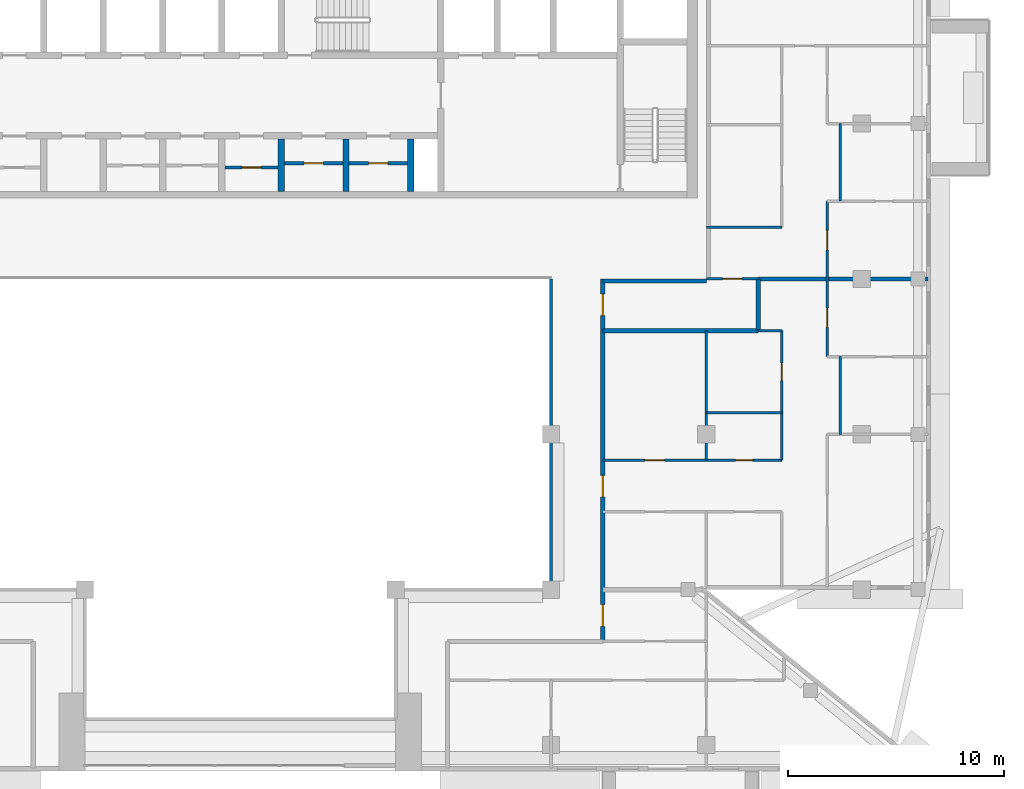
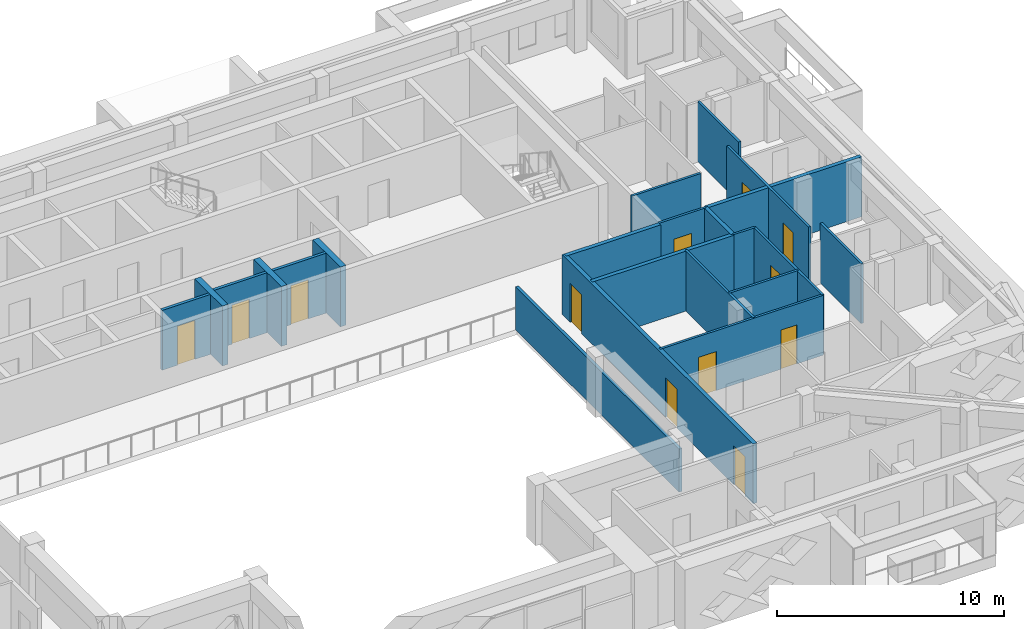
# One storey, part 9 of 19: 22 walls, 12 doors, 12 openings.
"""IFC4 building model written with IfcOpenShell, lengths in metres."""

import ifcopenshell
import ifcopenshell.guid

model = None  # the IFC model being written
_history = None  # IfcOwnerHistory: only IFC2X3 demands one
_inside = {}  # id of a spatial element -> (the spatial element, [elements in it])
_under = {}  # id of a project, library or spatial element -> (it, [spatial elements below it])
_declared = {}  # id of a project -> (the project, [libraries it declares])
_typed = {}  # id of a type object -> (the type object, [elements of that type])
_made_of = {}  # id of a material, layer set ... -> (it, [elements and type objects made of it])


def new_model(schema):
    """Start an empty IFC model of exactly this schema.

    Asked for "IFC4X3", IfcOpenShell would pick the latest addendum, in which some entities
    have other attributes; the version numbers below select the first issue.
    IFC2X3 requires an IfcOwnerHistory on every rooted entity: one is made here for all.
    """
    global model, _history
    if schema == "IFC4X3":
        model = ifcopenshell.file(schema_version=(4, 3, 0, 0))
    else:
        model = ifcopenshell.file(schema=schema)
    _inside.clear()
    _under.clear()
    _declared.clear()
    _typed.clear()
    _made_of.clear()
    _history = None
    if model.schema == "IFC2X3":
        org = make("IfcOrganization", Name="unknown")
        user = make(
            "IfcPersonAndOrganization",
            ThePerson=make("IfcPerson", FamilyName="unknown"),
            TheOrganization=org,
        )
        app = make(
            "IfcApplication",
            ApplicationDeveloper=org,
            Version="unknown",
            ApplicationFullName="unknown",
            ApplicationIdentifier="unknown",
        )
        _history = make(
            "IfcOwnerHistory",
            OwningUser=user,
            OwningApplication=app,
            ChangeAction="ADDED",
            CreationDate=0,
        )
    return model


def make(cls, **values):
    """One entity of the class cls with the attributes given. An attribute that is None is left unset."""
    return model.create_entity(
        cls, **{name: value for name, value in values.items() if value is not None}
    )


def rooted(cls, **values):
    """An entity with a GlobalId (a new one), such as an element, a storey or a relation."""
    return make(cls, GlobalId=ifcopenshell.guid.new(), OwnerHistory=_history, **values)


def si_unit(unit_type, name, prefix=None):
    """IfcSIUnit, for example si_unit("LENGTHUNIT", "METRE", prefix="MILLI")."""
    return make("IfcSIUnit", UnitType=unit_type, Prefix=prefix, Name=name)


def assignment(units):
    """IfcUnitAssignment: the units of a project."""
    return None if units is None else make("IfcUnitAssignment", Units=units)


def point(xyz):
    """IfcCartesianPoint."""
    return None if xyz is None else make("IfcCartesianPoint", Coordinates=xyz)


def direction(xyz):
    """IfcDirection."""
    return None if xyz is None else make("IfcDirection", DirectionRatios=xyz)


def frame(location, z_axis=None, x_axis=None):
    """IfcAxis2Placement3D, a coordinate frame: its origin and axes. An axis left out is left unset."""
    return make(
        "IfcAxis2Placement3D",
        Location=point(location),
        Axis=direction(z_axis),
        RefDirection=direction(x_axis),
    )


def frame_2d(location, x_axis=None):
    """IfcAxis2Placement2D, a coordinate frame in the plane: its origin and x axis."""
    return make(
        "IfcAxis2Placement2D", Location=point(location), RefDirection=direction(x_axis)
    )


def origin():
    """The frame at (0, 0, 0) with its axes left unset."""
    return frame((0.0, 0.0, 0.0))


def place(relative_to, where):
    """IfcLocalPlacement: puts the frame where relative to a parent placement (None: the world)."""
    return make(
        "IfcLocalPlacement", PlacementRelTo=relative_to, RelativePlacement=where
    )


def context(
    kind, dimensions, precision=None, world=None, true_north=None, identifier=None
):
    """IfcGeometricRepresentationContext, for example the 3D "Model" context."""
    return make(
        "IfcGeometricRepresentationContext",
        ContextIdentifier=identifier,
        ContextType=kind,
        CoordinateSpaceDimension=dimensions,
        Precision=precision,
        WorldCoordinateSystem=world,
        TrueNorth=true_north,
    )


def subcontext(parent, identifier, kind, view, scale=None):
    """IfcGeometricRepresentationSubContext, for example "Body" below "Model"."""
    return make(
        "IfcGeometricRepresentationSubContext",
        ContextIdentifier=identifier,
        ContextType=kind,
        ParentContext=parent,
        TargetScale=scale,
        TargetView=view,
    )


def project(units=None, contexts=None):
    """IfcProject with its units and contexts."""
    return rooted(
        "IfcProject",
        Name="project",
        RepresentationContexts=contexts,
        UnitsInContext=assignment(units),
    )


def spatial(cls, under=None, at=None, **own):
    """A site, building, storey or space (cls), placed at a placement, below another one or the project."""
    s = rooted(cls, ObjectPlacement=at, **own)
    if under is not None:
        _under.setdefault(under.id(), (under, []))[1].append(s)
    return s


def profile(cls, at=None, kind="AREA", **sizes):
    """A parametric profile (cls). Its sizes go by their IFC names, for example OverallWidth=200.0."""
    return make(cls, ProfileType=kind, Position=at, **sizes)


def rectangle(**sizes):
    """IfcRectangleProfileDef."""
    return profile("IfcRectangleProfileDef", **sizes)


def extrude(swept, where, along, depth):
    """IfcExtrudedAreaSolid: the profile swept, set in the frame where, extruded along a direction by depth."""
    return make(
        "IfcExtrudedAreaSolid",
        SweptArea=swept,
        Position=where,
        ExtrudedDirection=direction(along),
        Depth=depth,
    )


def shape(context_of_items, identifier, shape_type, items):
    """IfcShapeRepresentation: the items that make up one representation, for example the "Body"."""
    return make(
        "IfcShapeRepresentation",
        ContextOfItems=context_of_items,
        RepresentationIdentifier=identifier,
        RepresentationType=shape_type,
        Items=items,
    )


def material(Name=None, Category=None):
    """IfcMaterial."""
    return make("IfcMaterial", Name=Name, Category=Category)


def layer(
    of_material, thickness, ventilated=None, Name=None, Category=None, Priority=None
):
    """IfcMaterialLayer: one layer of a wall or slab, of a material (None: an air gap)."""
    return make(
        "IfcMaterialLayer",
        Material=of_material,
        LayerThickness=thickness,
        IsVentilated=ventilated,
        Name=Name,
        Category=Category,
        Priority=Priority,
    )


def layer_set(layers, Name=None):
    """IfcMaterialLayerSet."""
    return make("IfcMaterialLayerSet", MaterialLayers=layers, LayerSetName=Name)


def made_of(thing, what):
    """Note that an element or type object is made of a material, layer set ...; save() writes the relation."""
    if what is not None:
        _made_of.setdefault(what.id(), (what, []))[1].append(thing)
    return thing


def type_object(cls, material=None, **own):
    """A type object (cls), such as IfcWallType, which elements share."""
    return made_of(rooted(cls, **own), material)


def element(
    cls,
    number,
    at=None,
    inside=None,
    cuts=None,
    type_object=None,
    material=None,
    context=None,
    identifier="Body",
    shape_type=None,
    held_by="IfcProductDefinitionShape",
    body=None,
    shapes=None,
    **own,
):
    """One element of the class cls, such as IfcWall. Its Tag is "e" and its number.

    at: its placement. inside: the storey or other place that contains it. cuts: it is an
    opening in that element (IfcRelVoidsElement). A single representation is given by context,
    identifier, shape_type and body (its items); several are given by shapes. held_by: the class
    of the entity that holds the representations. save() writes the other relations.
    """
    e = rooted(cls, Tag="e%d" % number, ObjectPlacement=at, **own)
    if body is not None:
        shapes = [shape(context, identifier, shape_type, body)]
    if shapes is not None:
        e.Representation = make(held_by, Representations=shapes)
    if inside is not None:
        _inside.setdefault(inside.id(), (inside, []))[1].append(e)
    if cuts is not None:
        rooted(
            "IfcRelVoidsElement", RelatingBuildingElement=cuts, RelatedOpeningElement=e
        )
    if type_object is not None:
        _typed.setdefault(type_object.id(), (type_object, []))[1].append(e)
    return made_of(e, material)


def fill(opening, filler):
    """IfcRelFillsElement: the door or window that sits in an opening."""
    return rooted(
        "IfcRelFillsElement",
        RelatingOpeningElement=opening,
        RelatedBuildingElement=filler,
    )


def aggregate(whole, parts):
    """IfcRelAggregates: a whole, such as a stair, and the parts it consists of."""
    return rooted("IfcRelAggregates", RelatingObject=whole, RelatedObjects=parts)


def save(model, path):
    """Write the relations noted so far, then the file.

    IfcRelAggregates (storeys below a building ...), IfcRelContainedInSpatialStructure (elements
    in a storey), IfcRelDefinesByType, IfcRelAssociatesMaterial and IfcRelDeclares: one each for
    every whole, place, type object, material and project.
    """
    for whole, parts in _under.values():
        aggregate(whole, parts)
    for where, things in _inside.values():
        rooted(
            "IfcRelContainedInSpatialStructure",
            RelatedElements=things,
            RelatingStructure=where,
        )
    for kind, things in _typed.values():
        rooted("IfcRelDefinesByType", RelatedObjects=things, RelatingType=kind)
    for what, things in _made_of.values():
        rooted("IfcRelAssociatesMaterial", RelatedObjects=things, RelatingMaterial=what)
    for by, libraries in _declared.values():
        rooted("IfcRelDeclares", RelatingContext=by, RelatedDefinitions=libraries)
    model.write(path)


model = new_model("IFC4")

# Units and contexts
model_context = context("Model", 3, precision=1e-05, world=origin(), true_north=direction((0.0, 1.0)))
body_context = subcontext(model_context, "Body", "Model", "MODEL_VIEW")
ifc_project = project(units=[si_unit("LENGTHUNIT", "METRE"), si_unit("AREAUNIT", "SQUARE_METRE"), si_unit("VOLUMEUNIT", "CUBIC_METRE"), si_unit("PLANEANGLEUNIT", "RADIAN"), si_unit("MASSUNIT", "GRAM", prefix="KILO")], contexts=[model_context])

# Site, building, storey
site_placement = place(None, origin())
site = spatial("IfcSite", under=ifc_project, at=site_placement, CompositionType="ELEMENT")
building_placement = place(site_placement, origin())
building = spatial("IfcBuilding", under=site, at=building_placement, Name="Saffron Iwan Residences", CompositionType="ELEMENT")
storey_placement = place(building_placement, frame((0.0, 0.0, 236.0)))
storey = spatial("IfcBuildingStorey", under=building, at=storey_placement, Name="L63", CompositionType="ELEMENT", Elevation=236.0)

# Wall
ifc_material_1 = material(Name="Fire-rated glazing", Category="glass")
ifc_layer_1 = layer(ifc_material_1, 0.14990234375)
ifc_layer_set_1 = layer_set([ifc_layer_1], Name="Fire-rated glazing")
wall_type_1 = type_object("IfcWallType", Name="Atrium glazed screen 150", PredefinedType="SOLIDWALL", material=ifc_layer_set_1)
wall_1_placement = place(storey_placement, frame((64.800048828125, 48.0, 0.0), z_axis=(0.0, 0.0, 1.0), x_axis=(0.0, 1.0, 0.0)))
element("IfcWall", 1, at=wall_1_placement, inside=storey, type_object=wall_type_1, Name="W-L63-SCREEN-v64.8-48", PredefinedType="SOLIDWALL", context=body_context, shape_type="SweptSolid", body=[
    extrude(rectangle(XDim=14.39990234375, YDim=0.14990234375, at=frame_2d((7.199951171875, 0.0))), origin(), (0.0, 0.0, 1.0), 2.320068359375),
])

# Wall, opening, door
ifc_material_2 = material(Name="Fire-rated plasterboard partition")
ifc_layer_2 = layer(ifc_material_2, 0.14990234375)
ifc_layer_set_2 = layer_set([ifc_layer_2], Name="Fire-rated plasterboard partition")
wall_type_2 = type_object("IfcWallType", Name="Core partition 150", PredefinedType="PARTITIONING", material=ifc_layer_set_2)
wall_2_placement = place(storey_placement, frame((49.699951171875, 67.5654296875, 0.0), z_axis=(0.0, 0.0, 1.0), x_axis=(1.0, 0.0, 0.0)))
wall_2 = element("IfcWall", 2, at=wall_2_placement, inside=storey, type_object=wall_type_2, Name="Core partition P05", PredefinedType="PARTITIONING", context=body_context, shape_type="SweptSolid", body=[
    extrude(rectangle(XDim=2.449951171875, YDim=0.14990234375, at=frame_2d((1.22509765625, 0.0))), origin(), (0.0, 0.0, 1.0), 3.219970703125),
])
opening_1_placement = place(wall_2_placement, frame((0.77490234375, 0.0, 0.0)))
opening_1 = element("IfcOpeningElement", 3, at=opening_1_placement, cuts=wall_2, Name="Opening SB", PredefinedType="OPENING", context=body_context, shape_type="SweptSolid", body=[
    extrude(rectangle(XDim=0.89990234375, YDim=2.10009765625, at=frame_2d((0.449951171875, 1.050048828125))), frame((0.0, 0.0849609375, 0.0), z_axis=(0.0, -1.0, 0.0), x_axis=(1.0, 0.0, 0.0)), (0.0, 0.0, 1.0), 0.169921875),
])
ifc_material_3 = material(Name="Steel fire door", Category="steel")
door_type_1 = type_object("IfcDoorType", Name="Store door 900", OperationType="NOTDEFINED", PredefinedType="DOOR", material=ifc_material_3)
door_1_placement = place(opening_1_placement, origin())
door_1 = element("IfcDoor", 4, at=door_1_placement, inside=storey, type_object=door_type_1, Name="Door Spares store", OperationType="SINGLE_SWING_LEFT", OverallHeight=2.10009765625, OverallWidth=0.89990234375, PredefinedType="DOOR", context=body_context, shape_type="SweptSolid", body=[
    extrude(rectangle(XDim=0.89990234375, YDim=2.10009765625, at=frame_2d((0.449951171875, 1.050048828125))), frame((0.0, 0.02490234375, 0.0), z_axis=(0.0, -1.0, 0.0), x_axis=(1.0, 0.0, 0.0)), (0.0, 0.0, 1.0), 0.050048828125),
])
fill(opening_1, door_1)

wall_3_placement = place(storey_placement, frame((52.449951171875, 67.759521484375, 0.0), z_axis=(0.0, 0.0, 1.0), x_axis=(1.0, 0.0, 0.0)))
wall_3 = element("IfcWall", 5, at=wall_3_placement, inside=storey, type_object=wall_type_2, Name="Core partition P06", PredefinedType="PARTITIONING", context=body_context, shape_type="SweptSolid", body=[
    extrude(rectangle(XDim=2.699951171875, YDim=0.14990234375, at=frame_2d((1.35009765625, 0.0))), origin(), (0.0, 0.0, 1.0), 3.219970703125),
])
opening_2_placement = place(wall_3_placement, frame((0.89990234375, 0.0, 0.0)))
opening_2 = element("IfcOpeningElement", 6, at=opening_2_placement, cuts=wall_3, Name="Opening SB", PredefinedType="OPENING", context=body_context, shape_type="SweptSolid", body=[
    extrude(rectangle(XDim=0.89990234375, YDim=2.10009765625, at=frame_2d((0.449951171875, 1.050048828125))), frame((0.0, 0.0849609375, 0.0), z_axis=(0.0, -1.0, 0.0), x_axis=(1.0, 0.0, 0.0)), (0.0, 0.0, 1.0), 0.169921875),
])
door_2_placement = place(opening_2_placement, origin())
door_2 = element("IfcDoor", 7, at=door_2_placement, inside=storey, type_object=door_type_1, Name="Door Tool store", OperationType="SINGLE_SWING_LEFT", OverallHeight=2.10009765625, OverallWidth=0.89990234375, PredefinedType="DOOR", context=body_context, shape_type="SweptSolid", body=[
    extrude(rectangle(XDim=0.89990234375, YDim=2.10009765625, at=frame_2d((0.449951171875, 1.050048828125))), frame((0.0, 0.02490234375, 0.0), z_axis=(0.0, -1.0, 0.0), x_axis=(1.0, 0.0, 0.0)), (0.0, 0.0, 1.0), 0.050048828125),
])
fill(opening_2, door_2)

wall_4_placement = place(storey_placement, frame((55.449951171875, 67.759521484375, 0.0), z_axis=(0.0, 0.0, 1.0), x_axis=(1.0, 0.0, 0.0)))
wall_4 = element("IfcWall", 8, at=wall_4_placement, inside=storey, type_object=wall_type_2, Name="Core partition P07", PredefinedType="PARTITIONING", context=body_context, shape_type="SweptSolid", body=[
    extrude(rectangle(XDim=2.699951171875, YDim=0.14990234375, at=frame_2d((1.35009765625, 0.0))), origin(), (0.0, 0.0, 1.0), 3.219970703125),
])
opening_3_placement = place(wall_4_placement, frame((0.89990234375, 0.0, 0.0)))
opening_3 = element("IfcOpeningElement", 9, at=opening_3_placement, cuts=wall_4, Name="Opening SB", PredefinedType="OPENING", context=body_context, shape_type="SweptSolid", body=[
    extrude(rectangle(XDim=0.89990234375, YDim=2.10009765625, at=frame_2d((0.449951171875, 1.050048828125))), frame((0.0, 0.0849609375, 0.0), z_axis=(0.0, -1.0, 0.0), x_axis=(1.0, 0.0, 0.0)), (0.0, 0.0, 1.0), 0.169921875),
])
door_3_placement = place(opening_3_placement, origin())
door_3 = element("IfcDoor", 10, at=door_3_placement, inside=storey, type_object=door_type_1, Name="Door Cabling room", OperationType="SINGLE_SWING_LEFT", OverallHeight=2.10009765625, OverallWidth=0.89990234375, PredefinedType="DOOR", context=body_context, shape_type="SweptSolid", body=[
    extrude(rectangle(XDim=0.89990234375, YDim=2.10009765625, at=frame_2d((0.449951171875, 1.050048828125))), frame((0.0, 0.02490234375, 0.0), z_axis=(0.0, -1.0, 0.0), x_axis=(1.0, 0.0, 0.0)), (0.0, 0.0, 1.0), 0.050048828125),
])
fill(opening_3, door_3)

# Walls
ifc_material_4 = material(Name="Fire-rated gypsum board wall")
ifc_layer_3 = layer(ifc_material_4, 0.199951171875)
ifc_layer_set_3 = layer_set([ifc_layer_3], Name="Fire-rated gypsum board wall")
wall_type_3 = type_object("IfcWallType", Name="Flat demising wall 200", PredefinedType="SOLIDWALL", material=ifc_layer_set_3)
wall_5_placement = place(storey_placement, frame((67.199951171875, 60.0, 0.0), z_axis=(0.0, 0.0, 1.0), x_axis=(1.0, 0.0, 0.0)))
element("IfcWall", 11, at=wall_5_placement, inside=storey, type_object=wall_type_3, Name="W-L63-DEMISE-h60-67.2", PredefinedType="SOLIDWALL", context=body_context, shape_type="SweptSolid", body=[
    extrude(rectangle(XDim=7.199951171875, YDim=0.199951171875, at=frame_2d((3.60009765625, 0.0))), origin(), (0.0, 0.0, 1.0), 3.219970703125),
])
wall_6_placement = place(storey_placement, frame((74.39990234375, 62.39990234375, 0.0), z_axis=(0.0, 0.0, 1.0), x_axis=(1.0, 0.0, 0.0)))
element("IfcWall", 12, at=wall_6_placement, inside=storey, type_object=wall_type_3, Name="W-L63-DEMISE-h62.4-74.4", PredefinedType="SOLIDWALL", context=body_context, shape_type="SweptSolid", body=[
    extrude(rectangle(XDim=7.875, YDim=0.199951171875, at=frame_2d((3.9375, 0.0))), origin(), (0.0, 0.0, 1.0), 3.219970703125),
])
wall_7_placement = place(storey_placement, frame((74.39990234375, 60.0, 0.0), z_axis=(0.0, 0.0, 1.0), x_axis=(0.0, 1.0, 0.0)))
element("IfcWall", 13, at=wall_7_placement, inside=storey, type_object=wall_type_3, Name="W-L63-DEMISE-v74.4-60", PredefinedType="SOLIDWALL", context=body_context, shape_type="SweptSolid", body=[
    extrude(rectangle(XDim=2.39990234375, YDim=0.199951171875, at=frame_2d((1.199951171875, 0.0))), origin(), (0.0, 0.0, 1.0), 3.219970703125),
])

# Wall, openings, doors
ifc_material_5 = material(Name="Gypsum board partition")
ifc_layer_4 = layer(ifc_material_5, 0.1201171875)
ifc_layer_set_4 = layer_set([ifc_layer_4], Name="Gypsum board partition")
wall_type_4 = type_object("IfcWallType", Name="Flat partition 120", PredefinedType="PARTITIONING", material=ifc_layer_set_4)
wall_8_placement = place(storey_placement, frame((67.199951171875, 54.0, 0.0), z_axis=(0.0, 0.0, 1.0), x_axis=(1.0, 0.0, 0.0)))
wall_8 = element("IfcWall", 14, at=wall_8_placement, inside=storey, type_object=wall_type_4, Name="W-L63-PART-h54-67.2", PredefinedType="PARTITIONING", context=body_context, shape_type="SweptSolid", body=[
    extrude(rectangle(XDim=8.300048828125, YDim=0.1201171875, at=frame_2d((4.14990234375, 0.0))), origin(), (0.0, 0.0, 1.0), 3.219970703125),
])
opening_4_placement = place(wall_8_placement, frame((6.14990234375, 0.0, 0.0)))
opening_4 = element("IfcOpeningElement", 15, at=opening_4_placement, cuts=wall_8, Name="Opening FD3", PredefinedType="OPENING", context=body_context, shape_type="SweptSolid", body=[
    extrude(rectangle(XDim=0.800048828125, YDim=2.10009765625, at=frame_2d((0.39990234375, 1.050048828125))), frame((0.0, 0.070068359375, 0.0), z_axis=(0.0, -1.0, 0.0), x_axis=(1.0, 0.0, 0.0)), (0.0, 0.0, 1.0), 0.14013671875),
])
opening_5_placement = place(wall_8_placement, frame((1.949951171875, 0.0, 0.0)))
opening_5 = element("IfcOpeningElement", 16, at=opening_5_placement, cuts=wall_8, Name="Opening FD2", PredefinedType="OPENING", context=body_context, shape_type="SweptSolid", body=[
    extrude(rectangle(XDim=0.89990234375, YDim=2.10009765625, at=frame_2d((0.449951171875, 1.050048828125))), frame((0.0, 0.070068359375, 0.0), z_axis=(0.0, -1.0, 0.0), x_axis=(1.0, 0.0, 0.0)), (0.0, 0.0, 1.0), 0.14013671875),
])
ifc_material_6 = material(Name="Timber door", Category="wood")
door_type_2 = type_object("IfcDoorType", Name="Bathroom door 800", OperationType="NOTDEFINED", PredefinedType="DOOR", material=ifc_material_6)
door_4_placement = place(opening_4_placement, origin())
door_4 = element("IfcDoor", 17, at=door_4_placement, inside=storey, type_object=door_type_2, Name="Door L63-019", OperationType="SINGLE_SWING_RIGHT", OverallHeight=2.10009765625, OverallWidth=0.800048828125, PredefinedType="DOOR", context=body_context, shape_type="SweptSolid", body=[
    extrude(rectangle(XDim=0.800048828125, YDim=2.10009765625, at=frame_2d((0.39990234375, 1.050048828125))), frame((0.0, 0.02490234375, 0.0), z_axis=(0.0, -1.0, 0.0), x_axis=(1.0, 0.0, 0.0)), (0.0, 0.0, 1.0), 0.050048828125),
])
fill(opening_4, door_4)
door_type_3 = type_object("IfcDoorType", Name="Flat door 900", OperationType="NOTDEFINED", PredefinedType="DOOR", material=ifc_material_6)
door_5_placement = place(opening_5_placement, origin())
door_5 = element("IfcDoor", 18, at=door_5_placement, inside=storey, type_object=door_type_3, Name="Door L63-022", OperationType="SINGLE_SWING_RIGHT", OverallHeight=2.10009765625, OverallWidth=0.89990234375, PredefinedType="DOOR", context=body_context, shape_type="SweptSolid", body=[
    extrude(rectangle(XDim=0.89990234375, YDim=2.10009765625, at=frame_2d((0.449951171875, 1.050048828125))), frame((0.0, 0.02490234375, 0.0), z_axis=(0.0, -1.0, 0.0), x_axis=(1.0, 0.0, 0.0)), (0.0, 0.0, 1.0), 0.050048828125),
])
fill(opening_5, door_5)

# Walls
wall_9_placement = place(storey_placement, frame((72.0, 56.199951171875, 0.0), z_axis=(0.0, 0.0, 1.0), x_axis=(1.0, 0.0, 0.0)))
element("IfcWall", 19, at=wall_9_placement, inside=storey, type_object=wall_type_4, Name="W-L63-PART-h56.2-72", PredefinedType="PARTITIONING", context=body_context, shape_type="SweptSolid", body=[
    extrude(rectangle(XDim=3.5, YDim=0.1201171875, at=frame_2d((1.75, 0.0))), origin(), (0.0, 0.0, 1.0), 3.219970703125),
])
wall_10_placement = place(storey_placement, frame((74.39990234375, 60.0, 0.0), z_axis=(0.0, 0.0, 1.0), x_axis=(1.0, 0.0, 0.0)))
element("IfcWall", 20, at=wall_10_placement, inside=storey, type_object=wall_type_4, Name="W-L63-PART-h60-74.4", PredefinedType="PARTITIONING", context=body_context, shape_type="SweptSolid", body=[
    extrude(rectangle(XDim=1.10009765625, YDim=0.1201171875, at=frame_2d((0.550048828125, 0.0))), origin(), (0.0, 0.0, 1.0), 3.219970703125),
])

# Wall, opening, door
wall_11_placement = place(storey_placement, frame((72.0, 62.39990234375, 0.0), z_axis=(0.0, 0.0, 1.0), x_axis=(1.0, 0.0, 0.0)))
wall_11 = element("IfcWall", 21, at=wall_11_placement, inside=storey, type_object=wall_type_4, Name="W-L63-PART-h62.4-72", PredefinedType="PARTITIONING", context=body_context, shape_type="SweptSolid", body=[
    extrude(rectangle(XDim=2.39990234375, YDim=0.1201171875, at=frame_2d((1.199951171875, 0.0))), origin(), (0.0, 0.0, 1.0), 3.219970703125),
])
opening_6_placement = place(wall_11_placement, frame((0.75, 0.0, 0.0)))
opening_6 = element("IfcOpeningElement", 22, at=opening_6_placement, cuts=wall_11, Name="Opening FD2", PredefinedType="OPENING", context=body_context, shape_type="SweptSolid", body=[
    extrude(rectangle(XDim=0.89990234375, YDim=2.10009765625, at=frame_2d((0.449951171875, 1.050048828125))), frame((0.0, 0.070068359375, 0.0), z_axis=(0.0, -1.0, 0.0), x_axis=(1.0, 0.0, 0.0)), (0.0, 0.0, 1.0), 0.14013671875),
])
door_6_placement = place(opening_6_placement, origin())
door_6 = element("IfcDoor", 23, at=door_6_placement, inside=storey, type_object=door_type_3, Name="Door L63-033", OperationType="SINGLE_SWING_LEFT", OverallHeight=2.10009765625, OverallWidth=0.89990234375, PredefinedType="DOOR", context=body_context, shape_type="SweptSolid", body=[
    extrude(rectangle(XDim=0.89990234375, YDim=2.10009765625, at=frame_2d((0.449951171875, 1.050048828125))), frame((0.0, 0.02490234375, 0.0), z_axis=(0.0, -1.0, 0.0), x_axis=(1.0, 0.0, 0.0)), (0.0, 0.0, 1.0), 0.050048828125),
])
fill(opening_6, door_6)

# Walls
wall_12_placement = place(storey_placement, frame((72.0, 64.800048828125, 0.0), z_axis=(0.0, 0.0, 1.0), x_axis=(1.0, 0.0, 0.0)))
element("IfcWall", 24, at=wall_12_placement, inside=storey, type_object=wall_type_4, Name="W-L63-PART-h64.8-72", PredefinedType="PARTITIONING", context=body_context, shape_type="SweptSolid", body=[
    extrude(rectangle(XDim=3.5, YDim=0.1201171875, at=frame_2d((1.75, 0.0))), origin(), (0.0, 0.0, 1.0), 3.219970703125),
])
wall_13_placement = place(storey_placement, frame((72.0, 54.0, 0.0), z_axis=(0.0, 0.0, 1.0), x_axis=(0.0, 1.0, 0.0)))
element("IfcWall", 25, at=wall_13_placement, inside=storey, type_object=wall_type_4, Name="W-L63-PART-v72-54", PredefinedType="PARTITIONING", context=body_context, shape_type="SweptSolid", body=[
    extrude(rectangle(XDim=6.0, YDim=0.1201171875, at=frame_2d((3.0, 0.0))), origin(), (0.0, 0.0, 1.0), 3.219970703125),
])

# Wall, opening, door
wall_14_placement = place(storey_placement, frame((75.5, 54.0, 0.0), z_axis=(0.0, 0.0, 1.0), x_axis=(0.0, 1.0, 0.0)))
wall_14 = element("IfcWall", 26, at=wall_14_placement, inside=storey, type_object=wall_type_4, Name="W-L63-PART-v75.5-54", PredefinedType="PARTITIONING", context=body_context, shape_type="SweptSolid", body=[
    extrude(rectangle(XDim=6.0, YDim=0.1201171875, at=frame_2d((3.0, 0.0))), origin(), (0.0, 0.0, 1.0), 3.219970703125),
])
opening_7_placement = place(wall_14_placement, frame((3.699951171875, 0.0, 0.0)))
opening_7 = element("IfcOpeningElement", 27, at=opening_7_placement, cuts=wall_14, Name="Opening FD3", PredefinedType="OPENING", context=body_context, shape_type="SweptSolid", body=[
    extrude(rectangle(XDim=0.800048828125, YDim=2.10009765625, at=frame_2d((0.39990234375, 1.050048828125))), frame((0.0, 0.070068359375, 0.0), z_axis=(0.0, -1.0, 0.0), x_axis=(1.0, 0.0, 0.0)), (0.0, 0.0, 1.0), 0.14013671875),
])
door_7_placement = place(opening_7_placement, origin())
door_7 = element("IfcDoor", 28, at=door_7_placement, inside=storey, type_object=door_type_2, Name="Door L63-020", OperationType="SINGLE_SWING_LEFT", OverallHeight=2.10009765625, OverallWidth=0.800048828125, PredefinedType="DOOR", context=body_context, shape_type="SweptSolid", body=[
    extrude(rectangle(XDim=0.800048828125, YDim=2.10009765625, at=frame_2d((0.39990234375, 1.050048828125))), frame((0.0, 0.02490234375, 0.0), z_axis=(0.0, -1.0, 0.0), x_axis=(1.0, 0.0, 0.0)), (0.0, 0.0, 1.0), 0.050048828125),
])
fill(opening_7, door_7)

# Wall, openings, doors
wall_15_placement = place(storey_placement, frame((77.60009765625, 58.800048828125, 0.0), z_axis=(0.0, 0.0, 1.0), x_axis=(0.0, 1.0, 0.0)))
wall_15 = element("IfcWall", 29, at=wall_15_placement, inside=storey, type_object=wall_type_4, Name="W-L63-PART-v77.6-58.8", PredefinedType="PARTITIONING", context=body_context, shape_type="SweptSolid", body=[
    extrude(rectangle(XDim=7.199951171875, YDim=0.1201171875, at=frame_2d((3.60009765625, 0.0))), origin(), (0.0, 0.0, 1.0), 3.219970703125),
])
opening_8_placement = place(wall_15_placement, frame((1.35009765625, 0.0, 0.0)))
opening_8 = element("IfcOpeningElement", 30, at=opening_8_placement, cuts=wall_15, Name="Opening FD2", PredefinedType="OPENING", context=body_context, shape_type="SweptSolid", body=[
    extrude(rectangle(XDim=0.89990234375, YDim=2.10009765625, at=frame_2d((0.449951171875, 1.050048828125))), frame((0.0, 0.070068359375, 0.0), z_axis=(0.0, -1.0, 0.0), x_axis=(1.0, 0.0, 0.0)), (0.0, 0.0, 1.0), 0.14013671875),
])
opening_9_placement = place(wall_15_placement, frame((4.949951171875, 0.0, 0.0)))
opening_9 = element("IfcOpeningElement", 31, at=opening_9_placement, cuts=wall_15, Name="Opening FD2", PredefinedType="OPENING", context=body_context, shape_type="SweptSolid", body=[
    extrude(rectangle(XDim=0.89990234375, YDim=2.10009765625, at=frame_2d((0.449951171875, 1.050048828125))), frame((0.0, 0.070068359375, 0.0), z_axis=(0.0, -1.0, 0.0), x_axis=(1.0, 0.0, 0.0)), (0.0, 0.0, 1.0), 0.14013671875),
])
door_8_placement = place(opening_8_placement, origin())
door_8 = element("IfcDoor", 32, at=door_8_placement, inside=storey, type_object=door_type_3, Name="Door L63-016", OperationType="SINGLE_SWING_RIGHT", OverallHeight=2.10009765625, OverallWidth=0.89990234375, PredefinedType="DOOR", context=body_context, shape_type="SweptSolid", body=[
    extrude(rectangle(XDim=0.89990234375, YDim=2.10009765625, at=frame_2d((0.449951171875, 1.050048828125))), frame((0.0, 0.02490234375, 0.0), z_axis=(0.0, -1.0, 0.0), x_axis=(1.0, 0.0, 0.0)), (0.0, 0.0, 1.0), 0.050048828125),
])
fill(opening_8, door_8)
door_9_placement = place(opening_9_placement, origin())
door_9 = element("IfcDoor", 33, at=door_9_placement, inside=storey, type_object=door_type_3, Name="Door L63-035", OperationType="SINGLE_SWING_LEFT", OverallHeight=2.10009765625, OverallWidth=0.89990234375, PredefinedType="DOOR", context=body_context, shape_type="SweptSolid", body=[
    extrude(rectangle(XDim=0.89990234375, YDim=2.10009765625, at=frame_2d((0.449951171875, 1.050048828125))), frame((0.0, 0.02490234375, 0.0), z_axis=(0.0, -1.0, 0.0), x_axis=(1.0, 0.0, 0.0)), (0.0, 0.0, 1.0), 0.050048828125),
])
fill(opening_9, door_9)

# Walls
for number, where, z_axis, x_axis, name in (
    (34, (78.199951171875, 55.199951171875, 0.0), (0.0, 0.0, 1.0), (0.0, 1.0, 0.0), "W-L63-PART-v78.2-55.2"),
    (35, (78.199951171875, 66.0, 0.0), (0.0, 0.0, 1.0), (0.0, 1.0, 0.0), "W-L63-PART-v78.2-66"),
):
    element("IfcWall", number, at=place(storey_placement, frame(where, z_axis=z_axis, x_axis=x_axis)), inside=storey, type_object=wall_type_4, Name=name, PredefinedType="PARTITIONING", context=body_context, shape_type="SweptSolid", body=[
        extrude(rectangle(XDim=3.60009765625, YDim=0.1201171875, at=frame_2d((1.800048828125, 0.0))), origin(), (0.0, 0.0, 1.0), 3.219970703125),
    ])
ifc_layer_5 = layer(ifc_material_4, 0.199951171875)
ifc_layer_set_5 = layer_set([ifc_layer_5], Name="Fire-rated gypsum board wall")
wall_type_5 = type_object("IfcWallType", Name="Gallery wall 200", PredefinedType="SOLIDWALL", material=ifc_layer_set_5)
wall_16_placement = place(storey_placement, frame((67.199951171875, 62.300048828125, 0.0), z_axis=(0.0, 0.0, 1.0), x_axis=(1.0, 0.0, 0.0)))
element("IfcWall", 36, at=wall_16_placement, inside=storey, type_object=wall_type_5, Name="W-L63-CORR-h62.4-67.2", PredefinedType="SOLIDWALL", context=body_context, shape_type="SweptSolid", body=[
    extrude(rectangle(XDim=4.800048828125, YDim=0.199951171875, at=frame_2d((2.39990234375, 0.0))), origin(), (0.0, 0.0, 1.0), 3.219970703125),
])

# Wall, openings, doors
wall_17_placement = place(storey_placement, frame((67.199951171875, 45.60009765625, 0.0), z_axis=(0.0, 0.0, 1.0), x_axis=(0.0, 1.0, 0.0)))
wall_17 = element("IfcWall", 37, at=wall_17_placement, inside=storey, type_object=wall_type_5, Name="W-L63-CORR-v67.2-45.6", PredefinedType="SOLIDWALL", context=body_context, shape_type="SweptSolid", body=[
    extrude(rectangle(XDim=16.7998046875, YDim=0.199951171875, at=frame_2d((8.39990234375, 0.0))), origin(), (0.0, 0.0, 1.0), 3.219970703125),
])
opening_10_placement = place(wall_17_placement, frame((6.699951171875, 0.0, 0.0)))
opening_10 = element("IfcOpeningElement", 38, at=opening_10_placement, cuts=wall_17, Name="Opening FD1", PredefinedType="OPENING", context=body_context, shape_type="SweptSolid", body=[
    extrude(rectangle(XDim=1.0, YDim=2.10009765625, at=frame_2d((0.5, 1.050048828125))), frame((0.0, 0.10986328125, 0.0), z_axis=(0.0, -1.0, 0.0), x_axis=(1.0, 0.0, 0.0)), (0.0, 0.0, 1.0), 0.219970703125),
])
opening_11_placement = place(wall_17_placement, frame((15.10009765625, 0.0, 0.0)))
opening_11 = element("IfcOpeningElement", 39, at=opening_11_placement, cuts=wall_17, Name="Opening FD5", PredefinedType="OPENING", context=body_context, shape_type="SweptSolid", body=[
    extrude(rectangle(XDim=1.0, YDim=2.10009765625, at=frame_2d((0.5, 1.050048828125))), frame((0.0, 0.10986328125, 0.0), z_axis=(0.0, -1.0, 0.0), x_axis=(1.0, 0.0, 0.0)), (0.0, 0.0, 1.0), 0.219970703125),
])
opening_12_placement = place(wall_17_placement, frame((0.699951171875, 0.0, 0.0)))
opening_12 = element("IfcOpeningElement", 40, at=opening_12_placement, cuts=wall_17, Name="Opening FD5", PredefinedType="OPENING", context=body_context, shape_type="SweptSolid", body=[
    extrude(rectangle(XDim=1.0, YDim=2.10009765625, at=frame_2d((0.5, 1.050048828125))), frame((0.0, 0.10986328125, 0.0), z_axis=(0.0, -1.0, 0.0), x_axis=(1.0, 0.0, 0.0)), (0.0, 0.0, 1.0), 0.219970703125),
])
ifc_material_7 = material(Name="Fire-rated timber door", Category="wood")
door_type_4 = type_object("IfcDoorType", Name="FD30S flat entrance door 1000", OperationType="NOTDEFINED", PredefinedType="DOOR", material=ifc_material_7)
door_10_placement = place(opening_10_placement, origin())
door_10 = element("IfcDoor", 41, at=door_10_placement, inside=storey, type_object=door_type_4, Name="Door L63-014", OperationType="SINGLE_SWING_LEFT", OverallHeight=2.10009765625, OverallWidth=1.0, PredefinedType="DOOR", context=body_context, shape_type="SweptSolid", body=[
    extrude(rectangle(XDim=1.0, YDim=2.10009765625, at=frame_2d((0.5, 1.050048828125))), frame((0.0, 0.02490234375, 0.0), z_axis=(0.0, -1.0, 0.0), x_axis=(1.0, 0.0, 0.0)), (0.0, 0.0, 1.0), 0.050048828125),
])
fill(opening_10, door_10)
door_type_5 = type_object("IfcDoorType", Name="Lobby door 1000", OperationType="NOTDEFINED", PredefinedType="DOOR", material=ifc_material_7)
door_11_placement = place(opening_11_placement, origin())
door_11 = element("IfcDoor", 42, at=door_11_placement, inside=storey, type_object=door_type_5, Name="Door L63-034", OperationType="SINGLE_SWING_RIGHT", OverallHeight=2.10009765625, OverallWidth=1.0, PredefinedType="DOOR", context=body_context, shape_type="SweptSolid", body=[
    extrude(rectangle(XDim=1.0, YDim=2.10009765625, at=frame_2d((0.5, 1.050048828125))), frame((0.0, 0.02490234375, 0.0), z_axis=(0.0, -1.0, 0.0), x_axis=(1.0, 0.0, 0.0)), (0.0, 0.0, 1.0), 0.050048828125),
])
fill(opening_11, door_11)
door_12_placement = place(opening_12_placement, origin())
door_12 = element("IfcDoor", 43, at=door_12_placement, inside=storey, type_object=door_type_5, Name="Door L63-043", OperationType="SINGLE_SWING_RIGHT", OverallHeight=2.10009765625, OverallWidth=1.0, PredefinedType="DOOR", context=body_context, shape_type="SweptSolid", body=[
    extrude(rectangle(XDim=1.0, YDim=2.10009765625, at=frame_2d((0.5, 1.050048828125))), frame((0.0, 0.02490234375, 0.0), z_axis=(0.0, -1.0, 0.0), x_axis=(1.0, 0.0, 0.0)), (0.0, 0.0, 1.0), 0.050048828125),
])
fill(opening_12, door_12)

# Walls
ifc_material_8 = material(Name="Concrete C40/50", Category="concrete")
ifc_layer_6 = layer(ifc_material_8, 0.300048828125)
ifc_layer_set_6 = layer_set([ifc_layer_6], Name="Concrete C40/50")
wall_type_6 = type_object("IfcWallType", Name="WALL CORE 300 C40/50 3220 HIGH", PredefinedType="SHEAR", material=ifc_layer_set_6)
for number, where, z_axis, x_axis, name in (
    (44, (52.300048828125, 66.449951171875, 0.0), (0.0, 0.0, 1.0), (0.0, 1.0, 0.0), "Core wall"),
    (45, (55.300048828125, 66.449951171875, 0.0), (0.0, 0.0, 1.0), (0.0, 1.0, 0.0), "Core wall"),
    (46, (58.300048828125, 66.449951171875, 0.0), (0.0, 0.0, 1.0), (0.0, 1.0, 0.0), "Core wall"),
):
    element("IfcWall", number, at=place(storey_placement, frame(where, z_axis=z_axis, x_axis=x_axis)), inside=storey, type_object=wall_type_6, Name=name, PredefinedType="SHEAR", context=body_context, shape_type="SweptSolid", body=[
        extrude(rectangle(XDim=2.425048828125, YDim=0.300048828125, at=frame_2d((1.21240234375, 0.0))), origin(), (0.0, 0.0, 1.0), 3.219970703125),
    ])

save(model, "model.ifc")
